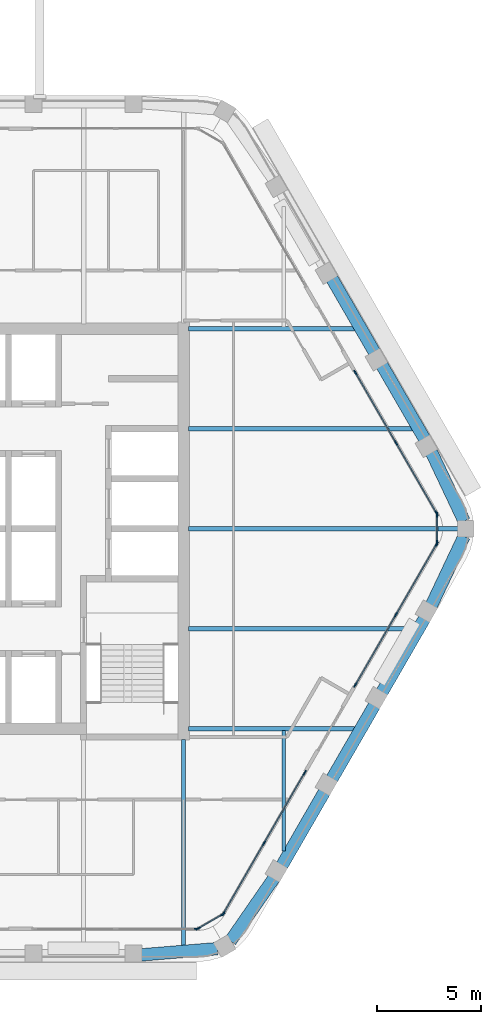
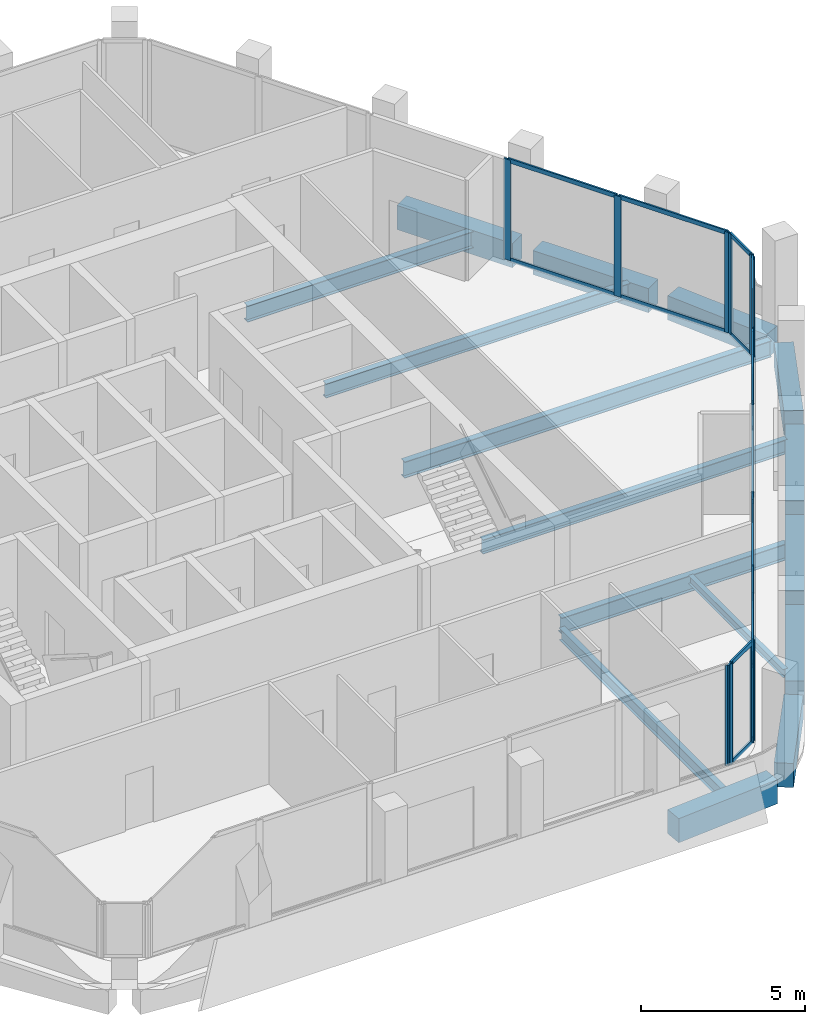
# One storey, part 4 of 14: 30 members, 16 beams, 6 elements without a shape of their own.
"""IFC4 building model written with IfcOpenShell, lengths in metres."""

from ifc_helpers import new_model, si_unit, direction, frame, origin, origin_2d, place, context, subcontext, project, spatial, rectangle, i_section, extrude, material, material_profile, profile_set, type_object, element, aggregate, save


model = new_model("IFC4")

# Units and contexts
model_context = context("Model", 3, precision=1e-05, world=origin(), true_north=direction((0.0, 1.0)))
body_context = subcontext(model_context, "Body", "Model", "MODEL_VIEW")
ifc_project = project(units=[si_unit("LENGTHUNIT", "METRE"), si_unit("AREAUNIT", "SQUARE_METRE"), si_unit("VOLUMEUNIT", "CUBIC_METRE"), si_unit("PLANEANGLEUNIT", "RADIAN"), si_unit("MASSUNIT", "GRAM", prefix="KILO")], contexts=[model_context])

# Site, building, storey
site_placement = place(None, origin())
site = spatial("IfcSite", under=ifc_project, at=site_placement, CompositionType="ELEMENT")
building_placement = place(site_placement, origin())
building = spatial("IfcBuilding", under=site, at=building_placement, Name="Kolab Exchange Tower", CompositionType="ELEMENT")
storey_placement = place(building_placement, frame((0.0, 0.0, 261.800048828125)))
storey = spatial("IfcBuildingStorey", under=building, at=storey_placement, Name="L58", CompositionType="ELEMENT", Elevation=261.800048828125)

# Beams
ifc_material_1 = material(Name="Steel S355", Category="steel")
ifc_material_profile_1 = material_profile(ifc_material_1, i_section(OverallWidth=0.1650390625, OverallDepth=0.31005859375, WebThickness=0.005859375, FlangeThickness=0.009765625, at=origin_2d()), Name="W310X39")
ifc_profile_set_1 = profile_set([ifc_material_profile_1], Name="Steel S355")
beam_type_1 = type_object("IfcBeamType", Name="FLOOR BEAM W310X39", PredefinedType="BEAM", material=ifc_profile_set_1)
beam_1_placement = place(storey_placement, frame((14.39990234375, -15.4677734375, -0.304931640625), z_axis=(0.0, 1.0, 0.0), x_axis=(-1.0, 0.0, 0.0)))
element("IfcBeam", 1, at=beam_1_placement, inside=storey, type_object=beam_type_1, Name="beam/L58/fr/018", PredefinedType="BEAM", context=body_context, shape_type="SweptSolid", body=[
    extrude(i_section(OverallWidth=0.1650390625, OverallDepth=0.31005859375, WebThickness=0.005859375, FlangeThickness=0.009765625, at=origin_2d()), origin(), (0.0, 0.0, 1.0), 5.793701171875),
])
ifc_material_profile_2 = material_profile(ifc_material_1, i_section(OverallWidth=0.18994140625, OverallDepth=0.45703125, WebThickness=0.009033203125, FlangeThickness=0.014404296875, at=origin_2d()), Name="W460X74")
ifc_profile_set_2 = profile_set([ifc_material_profile_2], Name="Steel S355")
beam_type_2 = type_object("IfcBeamType", Name="FLOOR BEAM W460X74", PredefinedType="BEAM", material=ifc_profile_set_2)
beam_2_placement = place(storey_placement, frame((9.60009765625, -20.027099609375, -0.378662109375), z_axis=(0.0, 1.0, 0.0), x_axis=(-1.0, 0.0, 0.0)))
element("IfcBeam", 2, at=beam_2_placement, inside=storey, type_object=beam_type_2, Name="beam/L58/fr/013", PredefinedType="BEAM", context=body_context, shape_type="SweptSolid", body=[
    extrude(i_section(OverallWidth=0.18994140625, OverallDepth=0.45703125, WebThickness=0.009033203125, FlangeThickness=0.014404296875, at=origin_2d()), origin(), (0.0, 0.0, 1.0), 9.9169921875),
])
ifc_material_profile_3 = material_profile(ifc_material_1, i_section(OverallWidth=0.208984375, OverallDepth=0.532958984375, WebThickness=0.01025390625, FlangeThickness=0.015625, at=origin_2d()), Name="W530X92")
ifc_profile_set_3 = profile_set([ifc_material_profile_3], Name="Steel S355")
beam_type_3 = type_object("IfcBeamType", Name="FLOOR BEAM W530X92", PredefinedType="BEAM", material=ifc_profile_set_3)
for number, where, z_axis, x_axis, name in (
    (3, (9.8349609375, -4.800048828125, -0.41650390625), (1.0, 0.0, 0.0), (0.0, 1.0, 0.0), "beam/L58/fr/015"),
    (4, (9.8349609375, 4.800048828125, -0.41650390625), (1.0, 0.0, 0.0), (0.0, 1.0, 0.0), "beam/L58/fr/017"),
):
    element("IfcBeam", number, at=place(storey_placement, frame(where, z_axis=z_axis, x_axis=x_axis)), inside=storey, type_object=beam_type_3, Name=name, PredefinedType="BEAM", context=body_context, shape_type="SweptSolid", body=[
        extrude(i_section(OverallWidth=0.208984375, OverallDepth=0.532958984375, WebThickness=0.01025390625, FlangeThickness=0.015625, at=origin_2d()), origin(), (0.0, 0.0, 1.0), 10.740966796875),
    ])
ifc_material_profile_4 = material_profile(ifc_material_1, i_section(OverallWidth=0.22802734375, OverallDepth=0.60791015625, WebThickness=0.01123046875, FlangeThickness=0.017333984375, at=origin_2d()), Name="W610X113")
ifc_profile_set_4 = profile_set([ifc_material_profile_4], Name="Steel S355")
beam_type_4 = type_object("IfcBeamType", Name="FLOOR BEAM W610X113", PredefinedType="BEAM", material=ifc_profile_set_4)
beam_3_placement = place(storey_placement, frame((9.8349609375, 0.0, -0.4541015625), z_axis=(1.0, 0.0, 0.0), x_axis=(0.0, 1.0, 0.0)))
element("IfcBeam", 5, at=beam_3_placement, inside=storey, type_object=beam_type_4, Name="beam/L58/fr/016", PredefinedType="BEAM", context=body_context, shape_type="SweptSolid", body=[
    extrude(i_section(OverallWidth=0.22802734375, OverallDepth=0.60791015625, WebThickness=0.01123046875, FlangeThickness=0.017333984375, at=origin_2d()), origin(), (0.0, 0.0, 1.0), 12.94091796875),
])
ifc_material_profile_5 = material_profile(ifc_material_1, i_section(OverallWidth=0.22802734375, OverallDepth=0.60791015625, WebThickness=0.01123046875, FlangeThickness=0.017333984375, at=origin_2d()), Name="W610X113")
ifc_profile_set_5 = profile_set([ifc_material_profile_5], Name="Steel S355")
beam_type_5 = type_object("IfcBeamType", Name="FLOOR GIRDER W610X113", PredefinedType="BEAM", material=ifc_profile_set_5)
for number, where, z_axis, x_axis, name in (
    (6, (9.8349609375, -9.60009765625, -0.4541015625), (1.0, 0.0, 0.0), (0.0, 1.0, 0.0), "beam/L58/gd/002"),
    (7, (9.8349609375, 9.60009765625, -0.4541015625), (1.0, 0.0, 0.0), (0.0, 1.0, 0.0), "beam/L58/gd/003"),
):
    element("IfcBeam", number, at=place(storey_placement, frame(where, z_axis=z_axis, x_axis=x_axis)), inside=storey, type_object=beam_type_5, Name=name, PredefinedType="BEAM", context=body_context, shape_type="SweptSolid", body=[
        extrude(i_section(OverallWidth=0.22802734375, OverallDepth=0.60791015625, WebThickness=0.01123046875, FlangeThickness=0.017333984375, at=origin_2d()), origin(), (0.0, 0.0, 1.0), 7.9697265625),
    ])
ifc_material_2 = material(Name="Concrete C50/60", Category="concrete")
ifc_material_profile_6 = material_profile(ifc_material_2, rectangle(XDim=0.60009765625, YDim=0.89990234375, at=origin_2d()), Name="RC600X900")
ifc_profile_set_6 = profile_set([ifc_material_profile_6], Name="Concrete C50/60")
beam_type_6 = type_object("IfcBeamType", Name="SPANDREL BEAM 600X900 C50/60", PredefinedType="BEAM", material=ifc_profile_set_6)
for number, where, z_axis, x_axis, name in (
    (8, (16.72021484375, 12.009033203125, -0.60009765625), (0.500000428765, -0.866025156237, 0.0), (0.866025156237, 0.500000428765, 0.0), "beam/L58/sp/F2-03"),
    (9, (19.1201171875, 7.85205078125, -0.60009765625), (0.500000428765, -0.866025156237, 0.0), (0.866025156237, 0.500000428765, 0.0), "beam/L58/sp/F2-04"),
):
    element("IfcBeam", number, at=place(storey_placement, frame(where, z_axis=z_axis, x_axis=x_axis)), inside=storey, type_object=beam_type_6, Name=name, PredefinedType="BEAM", context=body_context, shape_type="SweptSolid", body=[
        extrude(rectangle(XDim=0.60009765625, YDim=0.89990234375, at=origin_2d()), origin(), (0.0, 0.0, 1.0), 4.080078125),
    ])
for number, where, z_axis, x_axis, name in (
    (10, (21.49462890625, 3.68017578125, -0.60009765625), (0.427677251998, -0.903931506323, 0.0), (0.903931506323, 0.427677251998, 0.0), "beam/L58/sp/F2-05"),
    (11, (23.063720703125, -0.36376953125, -0.60009765625), (-0.427677251998, -0.903931506323, 0.0), (0.903931506323, -0.427677251998, 0.0), "beam/L58/sp/F3-01"),
):
    element("IfcBeam", number, at=place(storey_placement, frame(where, z_axis=z_axis, x_axis=x_axis)), inside=storey, type_object=beam_type_6, Name=name, PredefinedType="BEAM", context=body_context, shape_type="SweptSolid", body=[
        extrude(rectangle(XDim=0.60009765625, YDim=0.89990234375, at=origin_2d()), origin(), (0.0, 0.0, 1.0), 3.6689453125),
    ])
for number, where, z_axis, x_axis, name in (
    (12, (21.16015625, -4.318603515625, -0.60009765625), (-0.500000428765, -0.866025156237, 0.0), (0.866025156237, -0.500000428765, 0.0), "beam/L58/sp/F3-02"),
    (13, (18.76025390625, -8.4755859375, -0.60009765625), (-0.500000428765, -0.866025156237, 0.0), (0.866025156237, -0.500000428765, 0.0), "beam/L58/sp/F3-03"),
):
    element("IfcBeam", number, at=place(storey_placement, frame(where, z_axis=z_axis, x_axis=x_axis)), inside=storey, type_object=beam_type_6, Name=name, PredefinedType="BEAM", context=body_context, shape_type="SweptSolid", body=[
        extrude(rectangle(XDim=0.60009765625, YDim=0.89990234375, at=origin_2d()), origin(), (0.0, 0.0, 1.0), 4.080078125),
    ])
beam_4_placement = place(storey_placement, frame((16.360107421875, -12.632568359375, -0.60009765625), z_axis=(-0.499955548806, -0.866051066172, 0.0), x_axis=(0.866051066172, -0.499955548806, 0.0)))
element("IfcBeam", 14, at=beam_4_placement, inside=storey, type_object=beam_type_6, Name="beam/L58/sp/F3-04", PredefinedType="BEAM", context=body_context, shape_type="SweptSolid", body=[
    extrude(rectangle(XDim=0.60009765625, YDim=0.89990234375, at=origin_2d()), origin(), (0.0, 0.0, 1.0), 4.079833984375),
])
for number, where, z_axis, x_axis, name in (
    (15, (13.9345703125, -16.77490234375, -0.60009765625), (-0.569005808573, -0.822333502789, 0.0), (0.822333502789, -0.569005808573, 0.0), "beam/L58/sp/F3-05"),
    (16, (11.216796875, -20.15576171875, -0.60009765625), (-0.996666751878, -0.081580547323, 0.0), (0.081580547323, -0.996666751878, 0.0), "beam/L58/sp/F4-01"),
):
    element("IfcBeam", number, at=place(storey_placement, frame(where, z_axis=z_axis, x_axis=x_axis)), inside=storey, type_object=beam_type_6, Name=name, PredefinedType="BEAM", context=body_context, shape_type="SweptSolid", body=[
        extrude(rectangle(XDim=0.60009765625, YDim=0.89990234375, at=origin_2d()), origin(), (0.0, 0.0, 1.0), 3.6689453125),
    ])

# Curtain wall, members
ifc_material_3 = material(Name="Aluminium EN AW-6063 T6", Category="aluminium")
curtain_wall_type = type_object("IfcCurtainWallType", Name="UNITISED HIGH ZONE CURTAIN WALL", PredefinedType="NOTDEFINED", material=ifc_material_3)
curtain_wall_1_placement = place(storey_placement, origin())
curtain_wall_1 = element("IfcCurtainWall", 17, at=curtain_wall_1_placement, inside=storey, type_object=curtain_wall_type, Name="cw/L58/F2-2", PredefinedType="NOTDEFINED")
ifc_material_profile_7 = material_profile(ifc_material_3, rectangle(XDim=0.06005859375, YDim=0.239990234375, at=origin_2d()), Name="RECT 60X240")
ifc_profile_set_7 = profile_set([ifc_material_profile_7], Name="Aluminium EN AW-6063 T6")
member_type_1 = type_object("IfcMemberType", Name="UNITISED HIGH ZONE MULLION 60 X 240", PredefinedType="MULLION", material=ifc_profile_set_7)
member_1_placement = place(storey_placement, frame((17.8466796875, 7.497802734375, 0.0), z_axis=(0.0, 0.0, 1.0), x_axis=(0.866025440524, 0.499999936366, 0.0)))
member_1 = element("IfcMember", 18, at=member_1_placement, type_object=member_type_1, Name="CW4 mullion 1", PredefinedType="MULLION", context=body_context, shape_type="SweptSolid", body=[
    extrude(rectangle(XDim=0.06005859375, YDim=0.239990234375, at=origin_2d()), origin(), (0.0, 0.0, 1.0), 3.75),
])
member_2_placement = place(storey_placement, frame((19.798583984375, 4.116943359375, 0.0), z_axis=(0.0, 0.0, 1.0), x_axis=(0.866025440524, 0.499999936366, 0.0)))
member_2 = element("IfcMember", 19, at=member_2_placement, type_object=member_type_1, Name="CW4 mullion 2", PredefinedType="MULLION", context=body_context, shape_type="SweptSolid", body=[
    extrude(rectangle(XDim=0.06005859375, YDim=0.239990234375, at=origin_2d()), origin(), (0.0, 0.0, 1.0), 3.75),
])
member_3_placement = place(storey_placement, frame((21.750732421875, 0.736083984375, 0.0), z_axis=(0.0, 0.0, 1.0), x_axis=(0.866025440524, 0.499999936366, 0.0)))
member_3 = element("IfcMember", 20, at=member_3_placement, type_object=member_type_1, Name="CW4 mullion 3", PredefinedType="MULLION", context=body_context, shape_type="SweptSolid", body=[
    extrude(rectangle(XDim=0.06005859375, YDim=0.239990234375, at=origin_2d()), origin(), (0.0, 0.0, 1.0), 3.75),
])

curtain_wall_2_placement = place(storey_placement, origin())
curtain_wall_2 = element("IfcCurtainWall", 21, at=curtain_wall_2_placement, inside=storey, type_object=curtain_wall_type, Name="cw/L58/F3-1", PredefinedType="NOTDEFINED")
member_4_placement = place(storey_placement, frame((21.750732421875, -0.736083984375, 0.0), z_axis=(0.0, 0.0, 1.0), x_axis=(0.866025440524, -0.499999936366, 0.0)))
member_4 = element("IfcMember", 22, at=member_4_placement, type_object=member_type_1, Name="CW4 mullion 1", PredefinedType="MULLION", context=body_context, shape_type="SweptSolid", body=[
    extrude(rectangle(XDim=0.06005859375, YDim=0.239990234375, at=origin_2d()), origin(), (0.0, 0.0, 1.0), 3.75),
])
member_5_placement = place(storey_placement, frame((19.798583984375, -4.116943359375, 0.0), z_axis=(0.0, 0.0, 1.0), x_axis=(0.866025440524, -0.499999936366, 0.0)))
member_5 = element("IfcMember", 23, at=member_5_placement, type_object=member_type_1, Name="CW4 mullion 2", PredefinedType="MULLION", context=body_context, shape_type="SweptSolid", body=[
    extrude(rectangle(XDim=0.06005859375, YDim=0.239990234375, at=origin_2d()), origin(), (0.0, 0.0, 1.0), 3.75),
])
member_6_placement = place(storey_placement, frame((17.8466796875, -7.497802734375, 0.0), z_axis=(0.0, 0.0, 1.0), x_axis=(0.866025440524, -0.499999936366, 0.0)))
member_6 = element("IfcMember", 24, at=member_6_placement, type_object=member_type_1, Name="CW4 mullion 3", PredefinedType="MULLION", context=body_context, shape_type="SweptSolid", body=[
    extrude(rectangle(XDim=0.06005859375, YDim=0.239990234375, at=origin_2d()), origin(), (0.0, 0.0, 1.0), 3.75),
])

curtain_wall_3_placement = place(storey_placement, origin())
curtain_wall_3 = element("IfcCurtainWall", 25, at=curtain_wall_3_placement, inside=storey, type_object=curtain_wall_type, Name="cw/L58/F3-2", PredefinedType="NOTDEFINED")
member_7_placement = place(storey_placement, frame((15.416748046875, -11.706787109375, 0.0), z_axis=(0.0, 0.0, 1.0), x_axis=(0.866025385493, -0.500000031681, 0.0)))
member_7 = element("IfcMember", 26, at=member_7_placement, type_object=member_type_1, Name="CW4 mullion 1", PredefinedType="MULLION", context=body_context, shape_type="SweptSolid", body=[
    extrude(rectangle(XDim=0.06005859375, YDim=0.239990234375, at=origin_2d()), origin(), (0.0, 0.0, 1.0), 3.75),
])
member_8_placement = place(storey_placement, frame((13.464599609375, -15.087646484375, 0.0), z_axis=(0.0, 0.0, 1.0), x_axis=(0.866025385493, -0.500000031681, 0.0)))
member_8 = element("IfcMember", 27, at=member_8_placement, type_object=member_type_1, Name="CW4 mullion 2", PredefinedType="MULLION", context=body_context, shape_type="SweptSolid", body=[
    extrude(rectangle(XDim=0.06005859375, YDim=0.239990234375, at=origin_2d()), origin(), (0.0, 0.0, 1.0), 3.75),
])
member_9_placement = place(storey_placement, frame((11.5126953125, -18.46875, 0.0), z_axis=(0.0, 0.0, 1.0), x_axis=(0.866025385493, -0.500000031681, 0.0)))
member_9 = element("IfcMember", 28, at=member_9_placement, type_object=member_type_1, Name="CW4 mullion 3", PredefinedType="MULLION", context=body_context, shape_type="SweptSolid", body=[
    extrude(rectangle(XDim=0.06005859375, YDim=0.239990234375, at=origin_2d()), origin(), (0.0, 0.0, 1.0), 3.75),
])

# Curtain wall, member
curtain_wall_4_placement = place(storey_placement, origin())
curtain_wall_4 = element("IfcCurtainWall", 29, at=curtain_wall_4_placement, inside=storey, type_object=curtain_wall_type, Name="cw/L58/F4-1", PredefinedType="NOTDEFINED")
member_10_placement = place(storey_placement, frame((10.238037109375, -19.20458984375, 0.0), z_axis=(0.0, 0.0, 1.0), x_axis=(0.0, -1.0, 0.0)))
member_10 = element("IfcMember", 30, at=member_10_placement, type_object=member_type_1, Name="CW4 mullion 1", PredefinedType="MULLION", context=body_context, shape_type="SweptSolid", body=[
    extrude(rectangle(XDim=0.06005859375, YDim=0.239990234375, at=origin_2d()), origin(), (0.0, 0.0, 1.0), 3.75),
])
aggregate(curtain_wall_4, [member_10])

# Curtain wall, members
curtain_wall_5_placement = place(storey_placement, origin())
curtain_wall_5 = element("IfcCurtainWall", 31, at=curtain_wall_5_placement, inside=storey, type_object=curtain_wall_type, Name="cw/L58/F2F3-corner", PredefinedType="NOTDEFINED")
member_11_placement = place(storey_placement, frame((21.765625, 0.679931640625, 0.0), z_axis=(0.0, 0.0, 1.0), x_axis=(1.0, 0.0, 0.0)))
member_11 = element("IfcMember", 32, at=member_11_placement, type_object=member_type_1, Name="CW4 mullion 1", PredefinedType="MULLION", context=body_context, shape_type="SweptSolid", body=[
    extrude(rectangle(XDim=0.06005859375, YDim=0.239990234375, at=origin_2d()), origin(), (0.0, 0.0, 1.0), 3.75),
])
member_12_placement = place(storey_placement, frame((21.765625, -0.679931640625, 0.0), z_axis=(0.0, 0.0, 1.0), x_axis=(1.0, 0.0, 0.0)))
member_12 = element("IfcMember", 33, at=member_12_placement, type_object=member_type_1, Name="CW4 mullion 2", PredefinedType="MULLION", context=body_context, shape_type="SweptSolid", body=[
    extrude(rectangle(XDim=0.06005859375, YDim=0.239990234375, at=origin_2d()), origin(), (0.0, 0.0, 1.0), 3.75),
])

curtain_wall_6_placement = place(storey_placement, origin())
curtain_wall_6 = element("IfcCurtainWall", 34, at=curtain_wall_6_placement, inside=storey, type_object=curtain_wall_type, Name="cw/L58/F3F4-corner", PredefinedType="NOTDEFINED")
member_13_placement = place(storey_placement, frame((11.4716796875, -18.509521484375, 0.0), z_axis=(0.0, 0.0, 1.0), x_axis=(0.50000002237, -0.866025390869, 0.0)))
member_13 = element("IfcMember", 35, at=member_13_placement, type_object=member_type_1, Name="CW4 mullion 1", PredefinedType="MULLION", context=body_context, shape_type="SweptSolid", body=[
    extrude(rectangle(XDim=0.06005859375, YDim=0.239990234375, at=origin_2d()), origin(), (0.0, 0.0, 1.0), 3.75),
])
member_14_placement = place(storey_placement, frame((10.2939453125, -19.189697265625, 0.0), z_axis=(0.0, 0.0, 1.0), x_axis=(0.50000002237, -0.866025390869, 0.0)))
member_14 = element("IfcMember", 36, at=member_14_placement, type_object=member_type_1, Name="CW4 mullion 2", PredefinedType="MULLION", context=body_context, shape_type="SweptSolid", body=[
    extrude(rectangle(XDim=0.06005859375, YDim=0.239990234375, at=origin_2d()), origin(), (0.0, 0.0, 1.0), 3.75),
])

# Member
ifc_material_profile_8 = material_profile(ifc_material_3, rectangle(XDim=0.06005859375, YDim=0.159912109375, at=origin_2d()), Name="RECT 60X160")
ifc_profile_set_8 = profile_set([ifc_material_profile_8], Name="Aluminium EN AW-6063 T6")
member_type_2 = type_object("IfcMemberType", Name="UNITISED HIGH ZONE TRANSOM 60 X 160", PredefinedType="USERDEFINED", material=ifc_profile_set_8)
member_15_placement = place(storey_placement, frame((17.861572265625, 7.471923828125, 0.030029296875), z_axis=(0.500011990396, -0.866018481016, 0.0), x_axis=(0.866018481016, 0.500011990396, 0.0)))
member_15 = element("IfcMember", 37, at=member_15_placement, type_object=member_type_2, Name="CW4 transom 1.1", ObjectType="TRANSOM", PredefinedType="USERDEFINED", context=body_context, shape_type="SweptSolid", body=[
    extrude(rectangle(XDim=0.06005859375, YDim=0.159912109375, at=origin_2d()), origin(), (0.0, 0.0, 1.0), 3.84423828125),
])

member_16_placement = place(storey_placement, frame((17.861572265625, 7.471923828125, 3.719970703125), z_axis=(0.500011990396, -0.866018481016, 0.0), x_axis=(0.866018481016, 0.500011990396, 0.0)))
member_16 = element("IfcMember", 38, at=member_16_placement, type_object=member_type_2, Name="CW4 transom 1.2", ObjectType="TRANSOM", PredefinedType="USERDEFINED", context=body_context, shape_type="SweptSolid", body=[
    extrude(rectangle(XDim=0.06005859375, YDim=0.159912109375, at=origin_2d()), origin(), (0.0, 0.0, 1.0), 3.84423828125),
])

member_17_placement = place(storey_placement, frame((19.813720703125, 4.0908203125, 0.030029296875), z_axis=(0.499991857942, -0.866030104553, 0.0), x_axis=(0.866030104553, 0.499991857942, 0.0)))
member_17 = element("IfcMember", 39, at=member_17_placement, type_object=member_type_2, Name="CW4 transom 2.1", ObjectType="TRANSOM", PredefinedType="USERDEFINED", context=body_context, shape_type="SweptSolid", body=[
    extrude(rectangle(XDim=0.06005859375, YDim=0.159912109375, at=origin_2d()), origin(), (0.0, 0.0, 1.0), 3.84375),
])

member_18_placement = place(storey_placement, frame((19.813720703125, 4.0908203125, 3.719970703125), z_axis=(0.499991857942, -0.866030104553, 0.0), x_axis=(0.866030104553, 0.499991857942, 0.0)))
member_18 = element("IfcMember", 40, at=member_18_placement, type_object=member_type_2, Name="CW4 transom 2.2", ObjectType="TRANSOM", PredefinedType="USERDEFINED", context=body_context, shape_type="SweptSolid", body=[
    extrude(rectangle(XDim=0.06005859375, YDim=0.159912109375, at=origin_2d()), origin(), (0.0, 0.0, 1.0), 3.84375),
])

aggregate(curtain_wall_1, [member_1, member_2, member_3, member_15, member_16, member_17, member_18])

member_19_placement = place(storey_placement, frame((21.735595703125, -0.761962890625, 0.030029296875), z_axis=(-0.499991857942, -0.866030104553, 0.0), x_axis=(0.866030104553, -0.499991857942, 0.0)))
member_19 = element("IfcMember", 41, at=member_19_placement, type_object=member_type_2, Name="CW4 transom 1.1", ObjectType="TRANSOM", PredefinedType="USERDEFINED", context=body_context, shape_type="SweptSolid", body=[
    extrude(rectangle(XDim=0.06005859375, YDim=0.159912109375, at=origin_2d()), origin(), (0.0, 0.0, 1.0), 3.84375),
])

member_20_placement = place(storey_placement, frame((21.735595703125, -0.761962890625, 3.719970703125), z_axis=(-0.499991857942, -0.866030104553, 0.0), x_axis=(0.866030104553, -0.499991857942, 0.0)))
member_20 = element("IfcMember", 42, at=member_20_placement, type_object=member_type_2, Name="CW4 transom 1.2", ObjectType="TRANSOM", PredefinedType="USERDEFINED", context=body_context, shape_type="SweptSolid", body=[
    extrude(rectangle(XDim=0.06005859375, YDim=0.159912109375, at=origin_2d()), origin(), (0.0, 0.0, 1.0), 3.84375),
])

member_21_placement = place(storey_placement, frame((19.78369140625, -4.142822265625, 0.030029296875), z_axis=(-0.500011990396, -0.866018481016, 0.0), x_axis=(0.866018481016, -0.500011990396, 0.0)))
member_21 = element("IfcMember", 43, at=member_21_placement, type_object=member_type_2, Name="CW4 transom 2.1", ObjectType="TRANSOM", PredefinedType="USERDEFINED", context=body_context, shape_type="SweptSolid", body=[
    extrude(rectangle(XDim=0.06005859375, YDim=0.159912109375, at=origin_2d()), origin(), (0.0, 0.0, 1.0), 3.84423828125),
])

member_22_placement = place(storey_placement, frame((19.78369140625, -4.142822265625, 3.719970703125), z_axis=(-0.500011990396, -0.866018481016, 0.0), x_axis=(0.866018481016, -0.500011990396, 0.0)))
member_22 = element("IfcMember", 44, at=member_22_placement, type_object=member_type_2, Name="CW4 transom 2.2", ObjectType="TRANSOM", PredefinedType="USERDEFINED", context=body_context, shape_type="SweptSolid", body=[
    extrude(rectangle(XDim=0.06005859375, YDim=0.159912109375, at=origin_2d()), origin(), (0.0, 0.0, 1.0), 3.84423828125),
])

aggregate(curtain_wall_2, [member_4, member_5, member_6, member_19, member_20, member_21, member_22])

member_23_placement = place(storey_placement, frame((15.401611328125, -11.732666015625, 0.030029296875), z_axis=(-0.499964356602, -0.866045981532, 0.0), x_axis=(0.866045981532, -0.499964356602, 0.0)))
member_23 = element("IfcMember", 45, at=member_23_placement, type_object=member_type_2, Name="CW4 transom 1.1", ObjectType="TRANSOM", PredefinedType="USERDEFINED", context=body_context, shape_type="SweptSolid", body=[
    extrude(rectangle(XDim=0.06005859375, YDim=0.159912109375, at=origin_2d()), origin(), (0.0, 0.0, 1.0), 3.843994140625),
])

member_24_placement = place(storey_placement, frame((15.401611328125, -11.732666015625, 3.719970703125), z_axis=(-0.499964356602, -0.866045981532, 0.0), x_axis=(0.866045981532, -0.499964356602, 0.0)))
member_24 = element("IfcMember", 46, at=member_24_placement, type_object=member_type_2, Name="CW4 transom 1.2", ObjectType="TRANSOM", PredefinedType="USERDEFINED", context=body_context, shape_type="SweptSolid", body=[
    extrude(rectangle(XDim=0.06005859375, YDim=0.159912109375, at=origin_2d()), origin(), (0.0, 0.0, 1.0), 3.843994140625),
])

member_25_placement = place(storey_placement, frame((13.44970703125, -15.11376953125, 0.030029296875), z_axis=(-0.500039492609, -0.866002601515, 0.0), x_axis=(0.866002601515, -0.500039492609, 0.0)))
member_25 = element("IfcMember", 47, at=member_25_placement, type_object=member_type_2, Name="CW4 transom 2.1", ObjectType="TRANSOM", PredefinedType="USERDEFINED", context=body_context, shape_type="SweptSolid", body=[
    extrude(rectangle(XDim=0.06005859375, YDim=0.159912109375, at=origin_2d()), origin(), (0.0, 0.0, 1.0), 3.843994140625),
])

member_26_placement = place(storey_placement, frame((13.44970703125, -15.11376953125, 3.719970703125), z_axis=(-0.500039492609, -0.866002601515, 0.0), x_axis=(0.866002601515, -0.500039492609, 0.0)))
member_26 = element("IfcMember", 48, at=member_26_placement, type_object=member_type_2, Name="CW4 transom 2.2", ObjectType="TRANSOM", PredefinedType="USERDEFINED", context=body_context, shape_type="SweptSolid", body=[
    extrude(rectangle(XDim=0.06005859375, YDim=0.159912109375, at=origin_2d()), origin(), (0.0, 0.0, 1.0), 3.843994140625),
])

aggregate(curtain_wall_3, [member_7, member_8, member_9, member_23, member_24, member_25, member_26])

member_27_placement = place(storey_placement, frame((21.765625, 0.64990234375, 0.030029296875), z_axis=(0.0, -1.0, 0.0), x_axis=(1.0, 0.0, 0.0)))
member_27 = element("IfcMember", 49, at=member_27_placement, type_object=member_type_2, Name="CW4 transom 1.1", ObjectType="TRANSOM", PredefinedType="USERDEFINED", context=body_context, shape_type="SweptSolid", body=[
    extrude(rectangle(XDim=0.06005859375, YDim=0.159912109375, at=origin_2d()), origin(), (0.0, 0.0, 1.0), 1.2998046875),
])

member_28_placement = place(storey_placement, frame((21.765625, 0.64990234375, 3.719970703125), z_axis=(0.0, -1.0, 0.0), x_axis=(1.0, 0.0, 0.0)))
member_28 = element("IfcMember", 50, at=member_28_placement, type_object=member_type_2, Name="CW4 transom 1.2", ObjectType="TRANSOM", PredefinedType="USERDEFINED", context=body_context, shape_type="SweptSolid", body=[
    extrude(rectangle(XDim=0.06005859375, YDim=0.159912109375, at=origin_2d()), origin(), (0.0, 0.0, 1.0), 1.2998046875),
])

aggregate(curtain_wall_5, [member_11, member_12, member_27, member_28])

member_29_placement = place(storey_placement, frame((11.44580078125, -18.524658203125, 0.030029296875), z_axis=(-0.866085525409, -0.49989585183, 0.0), x_axis=(0.49989585183, -0.866085525409, 0.0)))
member_29 = element("IfcMember", 51, at=member_29_placement, type_object=member_type_2, Name="CW4 transom 1.1", ObjectType="TRANSOM", PredefinedType="USERDEFINED", context=body_context, shape_type="SweptSolid", body=[
    extrude(rectangle(XDim=0.06005859375, YDim=0.159912109375, at=origin_2d()), origin(), (0.0, 0.0, 1.0), 1.300048828125),
])

member_30_placement = place(storey_placement, frame((11.44580078125, -18.524658203125, 3.719970703125), z_axis=(-0.866085525409, -0.49989585183, 0.0), x_axis=(0.49989585183, -0.866085525409, 0.0)))
member_30 = element("IfcMember", 52, at=member_30_placement, type_object=member_type_2, Name="CW4 transom 1.2", ObjectType="TRANSOM", PredefinedType="USERDEFINED", context=body_context, shape_type="SweptSolid", body=[
    extrude(rectangle(XDim=0.06005859375, YDim=0.159912109375, at=origin_2d()), origin(), (0.0, 0.0, 1.0), 1.300048828125),
])

aggregate(curtain_wall_6, [member_13, member_14, member_29, member_30])

save(model, "model.ifc")
